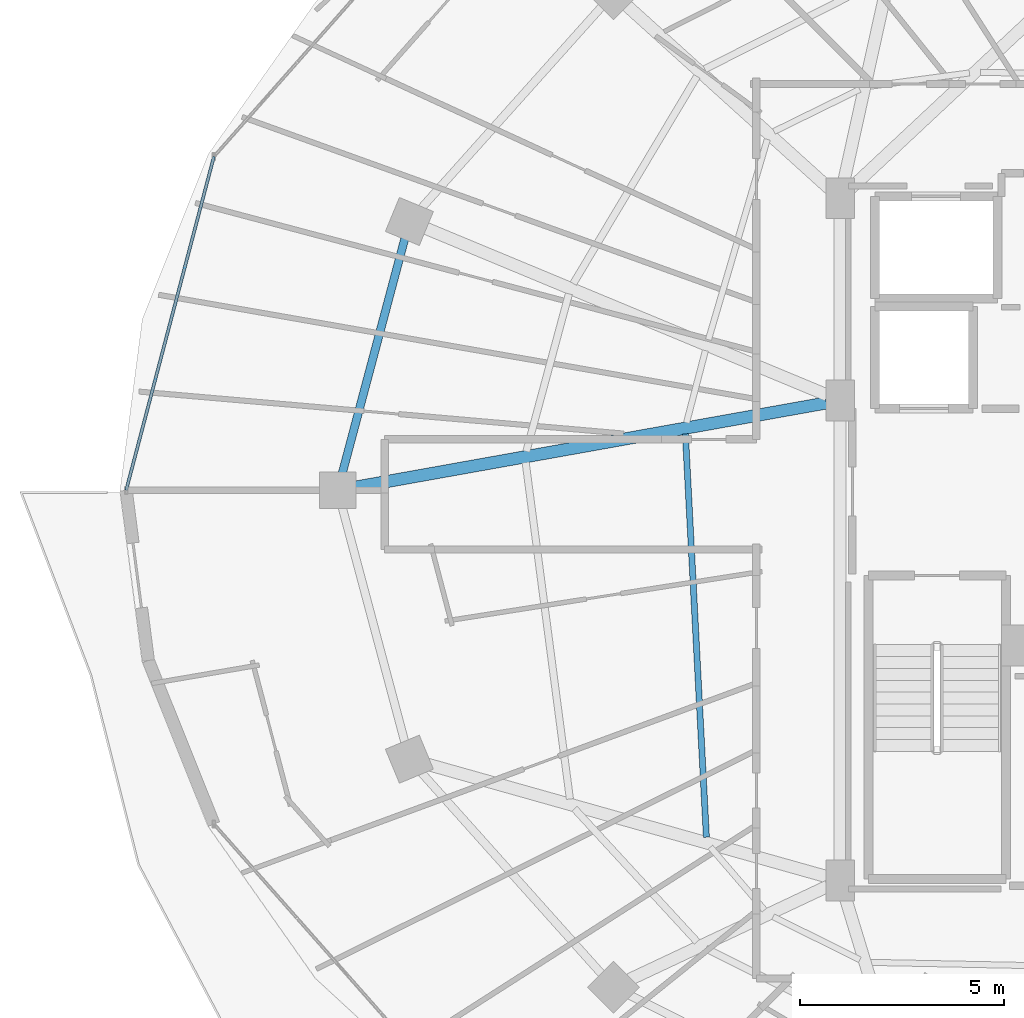
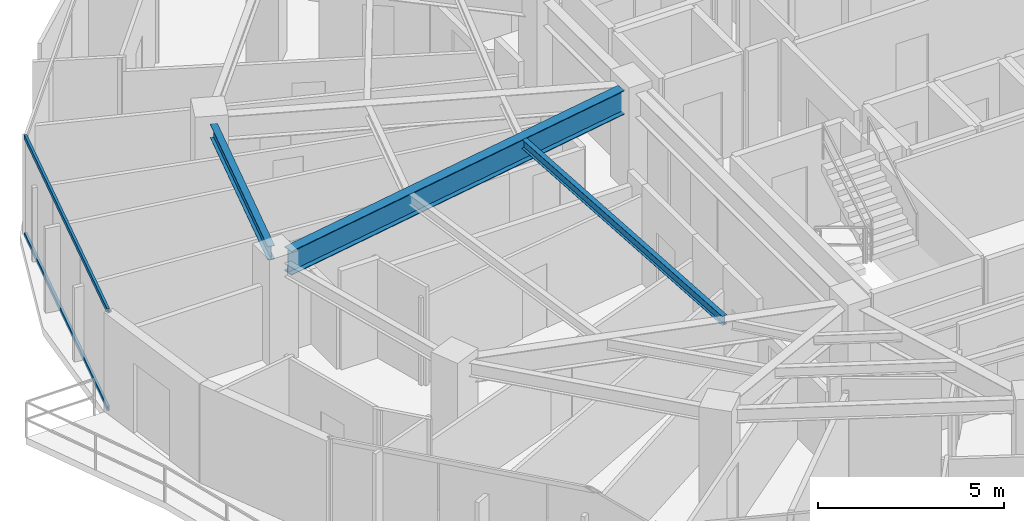
# One storey, part 8 of 34: 3 beams, 2 members, 1 element without a shape of its own.
"""IFC4 building model written with IfcOpenShell, lengths in metres."""

from ifc_helpers import new_model, si_unit, direction, frame, origin, origin_2d, place, context, subcontext, project, spatial, hollow_rectangle, i_section, extrude, material, material_profile, profile_set, type_object, element, aggregate, save


model = new_model("IFC4")

# Units and contexts
model_context = context("Model", 3, precision=1e-05, world=origin(), true_north=direction((0.0, 1.0)))
body_context = subcontext(model_context, "Body", "Model", "MODEL_VIEW")
ifc_project = project(units=[si_unit("LENGTHUNIT", "METRE"), si_unit("AREAUNIT", "SQUARE_METRE"), si_unit("VOLUMEUNIT", "CUBIC_METRE"), si_unit("PLANEANGLEUNIT", "RADIAN"), si_unit("MASSUNIT", "GRAM", prefix="KILO")], contexts=[model_context])

# Site, building, storey
site_placement = place(None, origin())
site = spatial("IfcSite", under=ifc_project, at=site_placement, CompositionType="ELEMENT")
building_placement = place(site_placement, origin())
building = spatial("IfcBuilding", under=site, at=building_placement, Name="Vorneva Point Tower", CompositionType="ELEMENT")
storey_placement = place(building_placement, frame((0.0, 0.0, 182.60009765625)))
storey = spatial("IfcBuildingStorey", under=building, at=storey_placement, Name="L49", CompositionType="ELEMENT", Elevation=182.60009765625)

# Beams
ifc_material_1 = material(Name="Steel S355", Category="steel")
ifc_material_profile_1 = material_profile(ifc_material_1, i_section(OverallWidth=0.300048828125, OverallDepth=0.7880859375, WebThickness=0.014404296875, FlangeThickness=0.02197265625, at=origin_2d()), Name="80Sh1")
ifc_profile_set_1 = profile_set([ifc_material_profile_1], Name="Steel S355")
beam_type_1 = type_object("IfcBeamType", Name="BM-GRD-80Sh1", PredefinedType="USERDEFINED", material=ifc_profile_set_1)
beam_1_placement = place(storey_placement, frame((15.381103515625, 26.0771484375, 2.845947265625), z_axis=(0.984378602255, 0.176064668298, 0.0), x_axis=(-0.176064668298, 0.984378602255, 0.0)))
element("IfcBeam", 1, at=beam_1_placement, inside=storey, type_object=beam_type_1, Name="L49 Radial Primary Girder 09", ObjectType="GIRDER", PredefinedType="USERDEFINED", context=body_context, shape_type="SweptSolid", body=[
    extrude(i_section(OverallWidth=0.300048828125, OverallDepth=0.7880859375, WebThickness=0.014404296875, FlangeThickness=0.02197265625, at=origin_2d()), origin(), (0.0, 0.0, 1.0), 11.71728515625),
])
ifc_material_profile_2 = material_profile(ifc_material_1, i_section(OverallWidth=0.14892578125, OverallDepth=0.298095703125, WebThickness=0.005615234375, FlangeThickness=0.008056640625, at=origin_2d()), Name="30B1")
ifc_profile_set_2 = profile_set([ifc_material_profile_2], Name="Steel S355")
beam_type_2 = type_object("IfcBeamType", Name="BM-JST-30B1", PredefinedType="JOIST", material=ifc_profile_set_2)
beam_2_placement = place(storey_placement, frame((23.462158203125, 27.38330078125, 3.0908203125), z_axis=(0.052014629383, -0.998646322944, 0.0), x_axis=(0.998646322944, 0.052014629383, 0.0)))
element("IfcBeam", 2, at=beam_2_placement, inside=storey, type_object=beam_type_2, Name="L49 Secondary Floor Beam 2.09", PredefinedType="JOIST", context=body_context, shape_type="SweptSolid", body=[
    extrude(i_section(OverallWidth=0.14892578125, OverallDepth=0.298095703125, WebThickness=0.005615234375, FlangeThickness=0.008056640625, at=origin_2d()), origin(), (0.0, 0.0, 1.0), 9.8896484375),
])
ifc_material_profile_3 = material_profile(ifc_material_1, i_section(OverallWidth=0.198974609375, OverallDepth=0.446044921875, WebThickness=0.008056640625, FlangeThickness=0.011962890625, at=origin_2d()), Name="45B1")
ifc_profile_set_3 = profile_set([ifc_material_profile_3], Name="Steel S355")
beam_type_3 = type_object("IfcBeamType", Name="BM-SPN-45B1", PredefinedType="SPANDREL", material=ifc_profile_set_3)
beam_3_placement = place(storey_placement, frame((16.592529296875, 32.161865234375, 3.016845703125), z_axis=(-0.257578258003, -0.966257440336, 0.0), x_axis=(0.966257440336, -0.257578258003, 0.0)))
element("IfcBeam", 3, at=beam_3_placement, inside=storey, type_object=beam_type_3, Name="L49 Perimeter Spandrel Ring Beam 08", PredefinedType="SPANDREL", context=body_context, shape_type="SweptSolid", body=[
    extrude(i_section(OverallWidth=0.198974609375, OverallDepth=0.446044921875, WebThickness=0.008056640625, FlangeThickness=0.011962890625, at=origin_2d()), origin(), (0.0, 0.0, 1.0), 5.94189453125),
])

# Curtain wall, members
ifc_material_2 = material(Name="Pale anodised aluminium", Category="aluminium")
curtain_wall_type = type_object("IfcCurtainWallType", Name="CW-RES-SYS", PredefinedType="NOTDEFINED", material=ifc_material_2)
curtain_wall_placement = place(storey_placement, origin())
curtain_wall = element("IfcCurtainWall", 4, at=curtain_wall_placement, inside=storey, type_object=curtain_wall_type, Name="L49 Unitised Curtain Wall CW-L49-R02", PredefinedType="NOTDEFINED")
ifc_material_profile_4 = material_profile(ifc_material_2, hollow_rectangle(XDim=0.074951171875, YDim=0.14990234375, WallThickness=0.00390625, at=origin_2d()), Name="AL-TRN 150x75x4")
ifc_profile_set_4 = profile_set([ifc_material_profile_4], Name="Pale anodised aluminium")
member_type = type_object("IfcMemberType", Name="CW-TRN-150", PredefinedType="USERDEFINED", material=ifc_profile_set_4)
member_1_placement = place(storey_placement, frame((11.9189453125, 34.17041015625, 0.02001953125), z_axis=(-0.254362431281, -0.967108966742, 0.0), x_axis=(0.967108966742, -0.254362431281, 0.0)))
member_1 = element("IfcMember", 5, at=member_1_placement, type_object=member_type, Name="CW-L49-R02 Transom 02.1", ObjectType="TRANSOM", PredefinedType="USERDEFINED", context=body_context, shape_type="SweptSolid", body=[
    extrude(hollow_rectangle(XDim=0.074951171875, YDim=0.14990234375, WallThickness=0.00390625, at=origin_2d()), origin(), (0.0, 0.0, 1.0), 8.4482421875),
])
member_2_placement = place(storey_placement, frame((11.9189453125, 34.17041015625, 3.219970703125), z_axis=(-0.254362431281, -0.967108966742, 0.0), x_axis=(0.967108966742, -0.254362431281, 0.0)))
member_2 = element("IfcMember", 6, at=member_2_placement, type_object=member_type, Name="CW-L49-R02 Transom 02.2", ObjectType="TRANSOM", PredefinedType="USERDEFINED", context=body_context, shape_type="SweptSolid", body=[
    extrude(hollow_rectangle(XDim=0.074951171875, YDim=0.14990234375, WallThickness=0.00390625, at=origin_2d()), origin(), (0.0, 0.0, 1.0), 8.4482421875),
])
aggregate(curtain_wall, [member_1, member_2])

save(model, "model.ifc")
